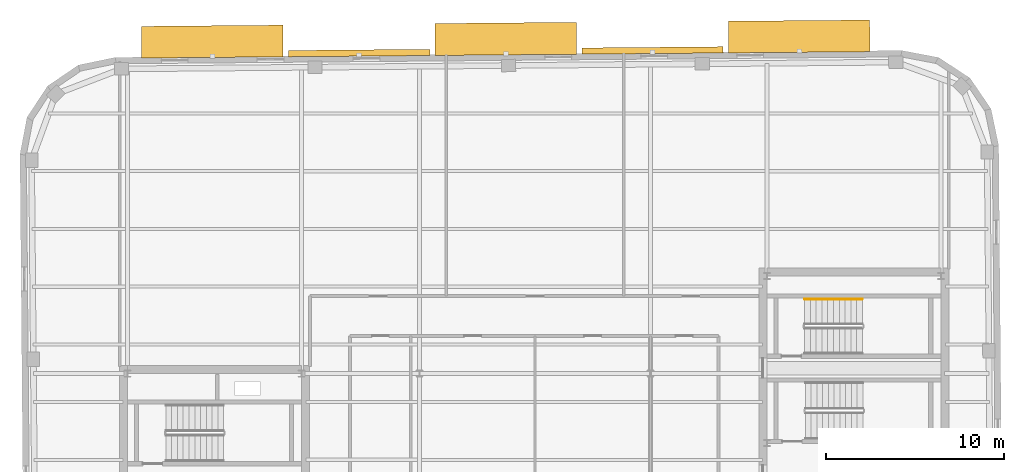
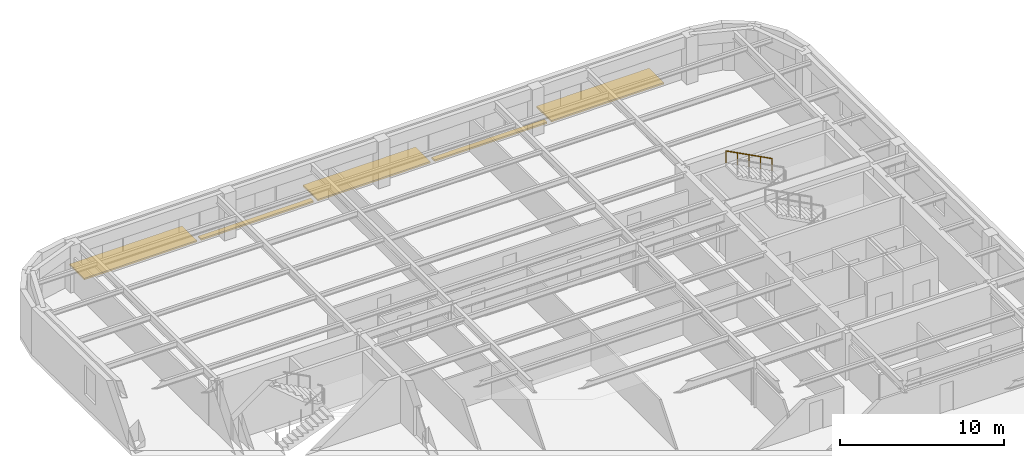
# One storey, part 14 of 14: 5 shading devices, 1 railing.
"""IFC4 building model written with IfcOpenShell, lengths in metres."""

import ifcopenshell
import ifcopenshell.guid

model = None  # the IFC model being written
_history = None  # IfcOwnerHistory: only IFC2X3 demands one
_inside = {}  # id of a spatial element -> (the spatial element, [elements in it])
_under = {}  # id of a project, library or spatial element -> (it, [spatial elements below it])
_declared = {}  # id of a project -> (the project, [libraries it declares])
_typed = {}  # id of a type object -> (the type object, [elements of that type])
_made_of = {}  # id of a material, layer set ... -> (it, [elements and type objects made of it])


def new_model(schema):
    """Start an empty IFC model of exactly this schema.

    Asked for "IFC4X3", IfcOpenShell would pick the latest addendum, in which some entities
    have other attributes; the version numbers below select the first issue.
    IFC2X3 requires an IfcOwnerHistory on every rooted entity: one is made here for all.
    """
    global model, _history
    if schema == "IFC4X3":
        model = ifcopenshell.file(schema_version=(4, 3, 0, 0))
    else:
        model = ifcopenshell.file(schema=schema)
    _inside.clear()
    _under.clear()
    _declared.clear()
    _typed.clear()
    _made_of.clear()
    _history = None
    if model.schema == "IFC2X3":
        org = make("IfcOrganization", Name="unknown")
        user = make(
            "IfcPersonAndOrganization",
            ThePerson=make("IfcPerson", FamilyName="unknown"),
            TheOrganization=org,
        )
        app = make(
            "IfcApplication",
            ApplicationDeveloper=org,
            Version="unknown",
            ApplicationFullName="unknown",
            ApplicationIdentifier="unknown",
        )
        _history = make(
            "IfcOwnerHistory",
            OwningUser=user,
            OwningApplication=app,
            ChangeAction="ADDED",
            CreationDate=0,
        )
    return model


def make(cls, **values):
    """One entity of the class cls with the attributes given. An attribute that is None is left unset."""
    return model.create_entity(
        cls, **{name: value for name, value in values.items() if value is not None}
    )


def rooted(cls, **values):
    """An entity with a GlobalId (a new one), such as an element, a storey or a relation."""
    return make(cls, GlobalId=ifcopenshell.guid.new(), OwnerHistory=_history, **values)


def si_unit(unit_type, name, prefix=None):
    """IfcSIUnit, for example si_unit("LENGTHUNIT", "METRE", prefix="MILLI")."""
    return make("IfcSIUnit", UnitType=unit_type, Prefix=prefix, Name=name)


def assignment(units):
    """IfcUnitAssignment: the units of a project."""
    return None if units is None else make("IfcUnitAssignment", Units=units)


def point(xyz):
    """IfcCartesianPoint."""
    return None if xyz is None else make("IfcCartesianPoint", Coordinates=xyz)


def direction(xyz):
    """IfcDirection."""
    return None if xyz is None else make("IfcDirection", DirectionRatios=xyz)


def frame(location, z_axis=None, x_axis=None):
    """IfcAxis2Placement3D, a coordinate frame: its origin and axes. An axis left out is left unset."""
    return make(
        "IfcAxis2Placement3D",
        Location=point(location),
        Axis=direction(z_axis),
        RefDirection=direction(x_axis),
    )


def frame_2d(location, x_axis=None):
    """IfcAxis2Placement2D, a coordinate frame in the plane: its origin and x axis."""
    return make(
        "IfcAxis2Placement2D", Location=point(location), RefDirection=direction(x_axis)
    )


def origin():
    """The frame at (0, 0, 0) with its axes left unset."""
    return frame((0.0, 0.0, 0.0))


def origin_2d():
    """The frame at (0, 0) in the plane with its x axis left unset."""
    return frame_2d((0.0, 0.0))


def place(relative_to, where):
    """IfcLocalPlacement: puts the frame where relative to a parent placement (None: the world)."""
    return make(
        "IfcLocalPlacement", PlacementRelTo=relative_to, RelativePlacement=where
    )


def context(
    kind, dimensions, precision=None, world=None, true_north=None, identifier=None
):
    """IfcGeometricRepresentationContext, for example the 3D "Model" context."""
    return make(
        "IfcGeometricRepresentationContext",
        ContextIdentifier=identifier,
        ContextType=kind,
        CoordinateSpaceDimension=dimensions,
        Precision=precision,
        WorldCoordinateSystem=world,
        TrueNorth=true_north,
    )


def subcontext(parent, identifier, kind, view, scale=None):
    """IfcGeometricRepresentationSubContext, for example "Body" below "Model"."""
    return make(
        "IfcGeometricRepresentationSubContext",
        ContextIdentifier=identifier,
        ContextType=kind,
        ParentContext=parent,
        TargetScale=scale,
        TargetView=view,
    )


def project(units=None, contexts=None):
    """IfcProject with its units and contexts."""
    return rooted(
        "IfcProject",
        Name="project",
        RepresentationContexts=contexts,
        UnitsInContext=assignment(units),
    )


def spatial(cls, under=None, at=None, **own):
    """A site, building, storey or space (cls), placed at a placement, below another one or the project."""
    s = rooted(cls, ObjectPlacement=at, **own)
    if under is not None:
        _under.setdefault(under.id(), (under, []))[1].append(s)
    return s


def profile(cls, at=None, kind="AREA", **sizes):
    """A parametric profile (cls). Its sizes go by their IFC names, for example OverallWidth=200.0."""
    return make(cls, ProfileType=kind, Position=at, **sizes)


def rectangle(**sizes):
    """IfcRectangleProfileDef."""
    return profile("IfcRectangleProfileDef", **sizes)


def circle(**sizes):
    """IfcCircleProfileDef."""
    return profile("IfcCircleProfileDef", **sizes)


def extrude(swept, where, along, depth):
    """IfcExtrudedAreaSolid: the profile swept, set in the frame where, extruded along a direction by depth."""
    return make(
        "IfcExtrudedAreaSolid",
        SweptArea=swept,
        Position=where,
        ExtrudedDirection=direction(along),
        Depth=depth,
    )


def shape(context_of_items, identifier, shape_type, items):
    """IfcShapeRepresentation: the items that make up one representation, for example the "Body"."""
    return make(
        "IfcShapeRepresentation",
        ContextOfItems=context_of_items,
        RepresentationIdentifier=identifier,
        RepresentationType=shape_type,
        Items=items,
    )


def material(Name=None, Category=None):
    """IfcMaterial."""
    return make("IfcMaterial", Name=Name, Category=Category)


def made_of(thing, what):
    """Note that an element or type object is made of a material, layer set ...; save() writes the relation."""
    if what is not None:
        _made_of.setdefault(what.id(), (what, []))[1].append(thing)
    return thing


def type_object(cls, material=None, **own):
    """A type object (cls), such as IfcWallType, which elements share."""
    return made_of(rooted(cls, **own), material)


def element(
    cls,
    number,
    at=None,
    inside=None,
    cuts=None,
    type_object=None,
    material=None,
    context=None,
    identifier="Body",
    shape_type=None,
    held_by="IfcProductDefinitionShape",
    body=None,
    shapes=None,
    **own,
):
    """One element of the class cls, such as IfcWall. Its Tag is "e" and its number.

    at: its placement. inside: the storey or other place that contains it. cuts: it is an
    opening in that element (IfcRelVoidsElement). A single representation is given by context,
    identifier, shape_type and body (its items); several are given by shapes. held_by: the class
    of the entity that holds the representations. save() writes the other relations.
    """
    e = rooted(cls, Tag="e%d" % number, ObjectPlacement=at, **own)
    if body is not None:
        shapes = [shape(context, identifier, shape_type, body)]
    if shapes is not None:
        e.Representation = make(held_by, Representations=shapes)
    if inside is not None:
        _inside.setdefault(inside.id(), (inside, []))[1].append(e)
    if cuts is not None:
        rooted(
            "IfcRelVoidsElement", RelatingBuildingElement=cuts, RelatedOpeningElement=e
        )
    if type_object is not None:
        _typed.setdefault(type_object.id(), (type_object, []))[1].append(e)
    return made_of(e, material)


def aggregate(whole, parts):
    """IfcRelAggregates: a whole, such as a stair, and the parts it consists of."""
    return rooted("IfcRelAggregates", RelatingObject=whole, RelatedObjects=parts)


def save(model, path):
    """Write the relations noted so far, then the file.

    IfcRelAggregates (storeys below a building ...), IfcRelContainedInSpatialStructure (elements
    in a storey), IfcRelDefinesByType, IfcRelAssociatesMaterial and IfcRelDeclares: one each for
    every whole, place, type object, material and project.
    """
    for whole, parts in _under.values():
        aggregate(whole, parts)
    for where, things in _inside.values():
        rooted(
            "IfcRelContainedInSpatialStructure",
            RelatedElements=things,
            RelatingStructure=where,
        )
    for kind, things in _typed.values():
        rooted("IfcRelDefinesByType", RelatedObjects=things, RelatingType=kind)
    for what, things in _made_of.values():
        rooted("IfcRelAssociatesMaterial", RelatedObjects=things, RelatingMaterial=what)
    for by, libraries in _declared.values():
        rooted("IfcRelDeclares", RelatingContext=by, RelatedDefinitions=libraries)
    model.write(path)


model = new_model("IFC4")

# Units and contexts
model_context = context("Model", 3, precision=1e-05, world=origin(), true_north=direction((0.0, 1.0)))
body_context = subcontext(model_context, "Body", "Model", "MODEL_VIEW")
ifc_project = project(units=[si_unit("LENGTHUNIT", "METRE"), si_unit("AREAUNIT", "SQUARE_METRE"), si_unit("VOLUMEUNIT", "CUBIC_METRE"), si_unit("PLANEANGLEUNIT", "RADIAN"), si_unit("MASSUNIT", "GRAM", prefix="KILO")], contexts=[model_context])

# Site, building, storey
site_placement = place(None, origin())
site = spatial("IfcSite", under=ifc_project, at=site_placement, CompositionType="ELEMENT")
building_placement = place(site_placement, origin())
building = spatial("IfcBuilding", under=site, at=building_placement, Name="Kolvaren Arena Tower", CompositionType="ELEMENT")
storey_placement = place(building_placement, frame((0.0, 0.0, 289.89990234375)))
storey = spatial("IfcBuildingStorey", under=building, at=storey_placement, Name="L71", CompositionType="ELEMENT", Elevation=289.89990234375)

# Railing
ifc_material_1 = material(Name="Brushed stainless steel handrail", Category="steel")
railing_type = type_object("IfcRailingType", Name="HRAIL-900", PredefinedType="HANDRAIL", material=ifc_material_1)
railing_placement = place(storey_placement, frame((55.919921875, 38.050048828125, 2.045654296875)))
element("IfcRailing", 1, at=railing_placement, inside=storey, type_object=railing_type, Name="L71 ST-E2 stair handrail 2", PredefinedType="HANDRAIL", context=body_context, shape_type="SweptSolid", body=[
    extrude(circle(Radius=0.02392578125, at=origin_2d()), frame((0.0, 0.0, 0.8759765625), z_axis=(-0.885020909582, 0.0, 0.465551274945), x_axis=(0.0, -1.0, 0.0)), (0.0, 0.0, 1.0), 3.660888671875),
    extrude(circle(Radius=0.02099609375, at=origin_2d()), origin(), (0.0, 0.0, 1.0), 0.851806640625),
    extrude(circle(Radius=0.02099609375, at=origin_2d()), frame((-0.81005859375, 0.0, 0.426025390625)), (0.0, 0.0, 1.0), 0.851806640625),
    extrude(circle(Radius=0.02099609375, at=origin_2d()), frame((-1.6201171875, 0.0, 0.85205078125)), (0.0, 0.0, 1.0), 0.851806640625),
    extrude(circle(Radius=0.02099609375, at=origin_2d()), frame((-2.429931640625, 0.0, 1.2783203125)), (0.0, 0.0, 1.0), 0.851806640625),
    extrude(circle(Radius=0.02099609375, at=origin_2d()), frame((-3.239990234375, 0.0, 1.704345703125)), (0.0, 0.0, 1.0), 0.851806640625),
])

# Shading devices
ifc_material_2 = material(Name="Architectural precast GFRC and anodised aluminium sunshade", Category="concrete")
shading_device_type_1 = type_object("IfcShadingDeviceType", Name="SHAD-SINE-A", PredefinedType="USERDEFINED", material=ifc_material_2)
for number, where, z_axis, x_axis, name in (
    (2, (27.592529296875, 51.902587890625, -0.139892578125), (0.0, 0.0, 1.0), (0.999961923064, 0.008726535498, 0.0), "Sinusoidal Slab-Edge Sunshade Louvre (L71)"),
    (3, (44.11181640625, 52.046875, -0.139892578125), (0.0, 0.0, 1.0), (0.999961923064, 0.008726535498, 0.0), "Sinusoidal Slab-Edge Sunshade Louvre (L71)"),
):
    element("IfcShadingDevice", number, at=place(storey_placement, frame(where, z_axis=z_axis, x_axis=x_axis)), inside=storey, type_object=shading_device_type_1, Name=name, ObjectType="LOUVRE", PredefinedType="USERDEFINED", context=body_context, shape_type="SweptSolid", body=[
        extrude(rectangle(XDim=7.9599609375, YDim=0.353759765625, at=origin_2d()), origin(), (0.0, 0.0, 1.0), 0.1201171875),
    ])
shading_device_type_2 = type_object("IfcShadingDeviceType", Name="SHAD-SINE-B", PredefinedType="JALOUSIE", material=ifc_material_2)
shading_device_1_placement = place(storey_placement, frame((19.326416015625, 52.5458984375, -0.139892578125), z_axis=(0.0, 0.0, 1.0), x_axis=(0.999961923064, 0.008726535498, 0.0)))
element("IfcShadingDevice", 4, at=shading_device_1_placement, inside=storey, type_object=shading_device_type_2, Name="Sinusoidal Slab-Edge Sunshade Louvre (L71)", PredefinedType="JALOUSIE", context=body_context, shape_type="SweptSolid", body=[
    extrude(rectangle(XDim=7.9599609375, YDim=1.784912109375, at=origin_2d()), origin(), (0.0, 0.0, 1.0), 0.1201171875),
])
shading_device_2_placement = place(storey_placement, frame((35.845703125, 52.69775390625, -0.139892578125), z_axis=(0.0, 0.0, 1.0), x_axis=(0.999961923064, 0.008726535498, 0.0)))
element("IfcShadingDevice", 5, at=shading_device_2_placement, inside=storey, type_object=shading_device_type_2, Name="Sinusoidal Slab-Edge Sunshade Louvre (L71)", PredefinedType="JALOUSIE", context=body_context, shape_type="SweptSolid", body=[
    extrude(rectangle(XDim=7.9599609375, YDim=1.800048828125, at=origin_2d()), origin(), (0.0, 0.0, 1.0), 0.1201171875),
])
shading_device_3_placement = place(storey_placement, frame((52.365234375, 52.83447265625, -0.139892578125), z_axis=(0.0, 0.0, 1.0), x_axis=(0.999961923064, 0.008726535498, 0.0)))
element("IfcShadingDevice", 6, at=shading_device_3_placement, inside=storey, type_object=shading_device_type_2, Name="Sinusoidal Slab-Edge Sunshade Louvre (L71)", PredefinedType="JALOUSIE", context=body_context, shape_type="SweptSolid", body=[
    extrude(rectangle(XDim=7.9599609375, YDim=1.784912109375, at=origin_2d()), origin(), (0.0, 0.0, 1.0), 0.1201171875),
])

save(model, "model.ifc")
